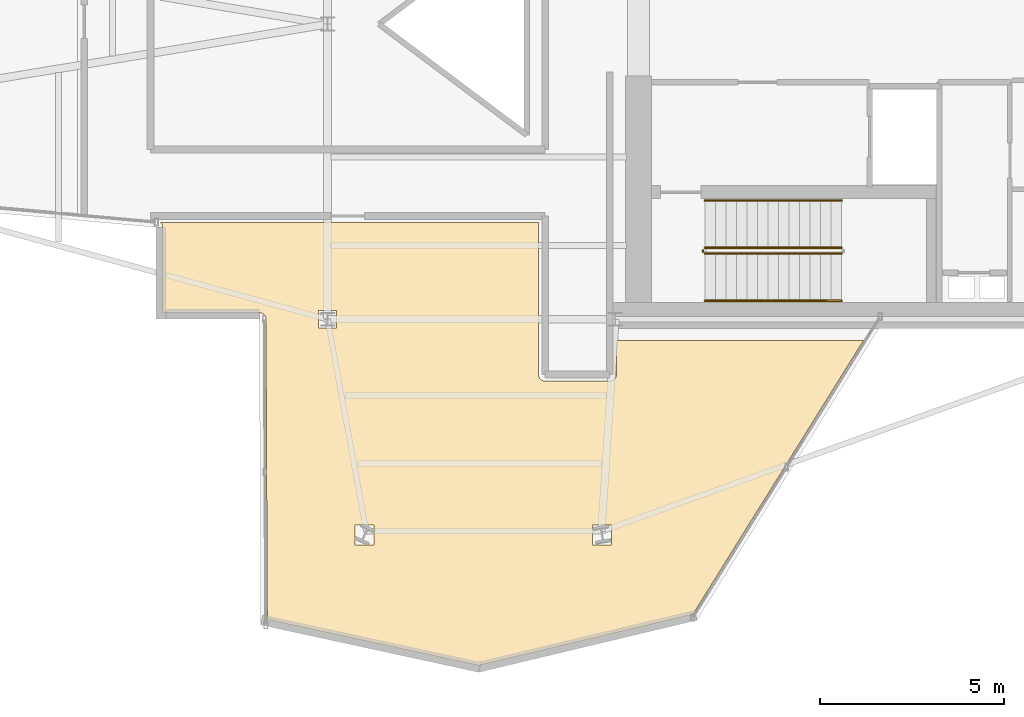
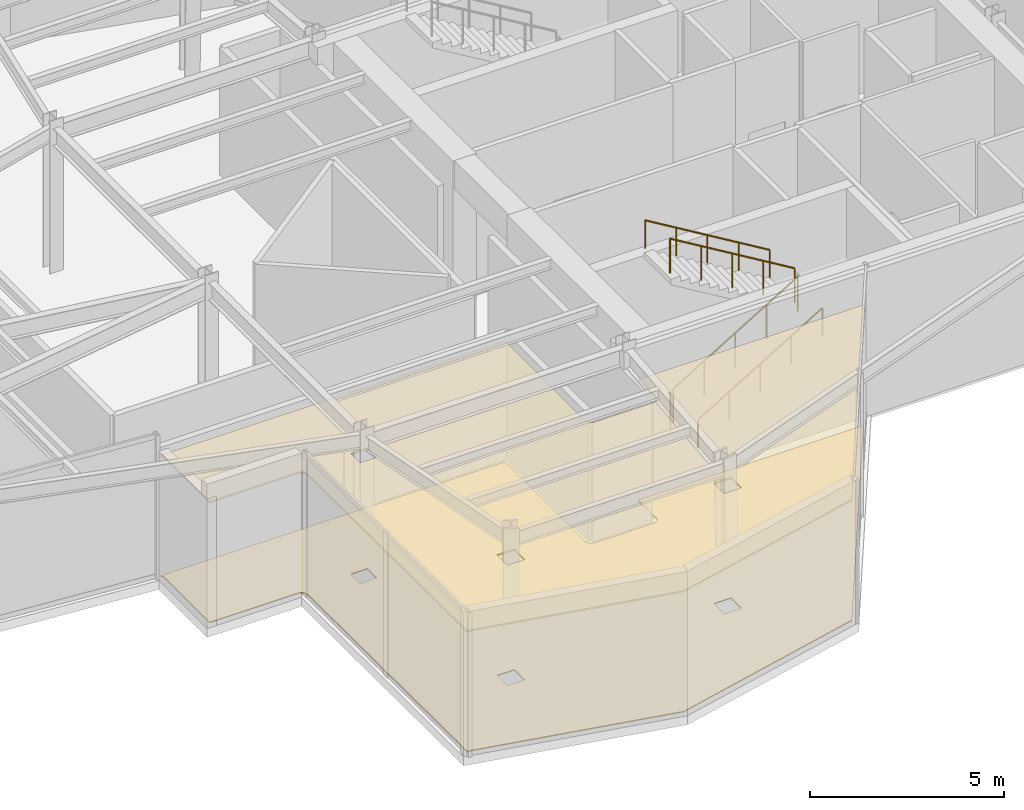
# One storey, part 12 of 14: 5 railings, 2 coverings.
"""IFC4 building model written with IfcOpenShell, lengths in metres."""

from ifc_helpers import new_model, si_unit, direction, frame, origin, origin_2d, place, context, subcontext, project, spatial, polyline, circle, outline, extrude, material, layer, layer_set, type_object, element, save


model = new_model("IFC4")

# Units and contexts
model_context = context("Model", 3, precision=1e-05, world=origin(), true_north=direction((0.0, 1.0)))
body_context = subcontext(model_context, "Body", "Model", "MODEL_VIEW")
ifc_project = project(units=[si_unit("LENGTHUNIT", "METRE"), si_unit("AREAUNIT", "SQUARE_METRE"), si_unit("VOLUMEUNIT", "CUBIC_METRE"), si_unit("PLANEANGLEUNIT", "RADIAN"), si_unit("MASSUNIT", "GRAM", prefix="KILO")], contexts=[model_context])

# Site, building, storey
site_placement = place(None, origin())
site = spatial("IfcSite", under=ifc_project, at=site_placement, CompositionType="ELEMENT")
building_placement = place(site_placement, origin())
building = spatial("IfcBuilding", under=site, at=building_placement, Name="Veymaron Broadcast Tower", CompositionType="ELEMENT")
storey_placement = place(building_placement, frame((0.0, 0.0, 187.050048828125)))
storey = spatial("IfcBuildingStorey", under=building, at=storey_placement, Name="L43", CompositionType="ELEMENT", Elevation=187.050048828125)

# Coverings
ifc_material_1 = material(Name="Micro-perforated dark-anodised aluminium baffle", Category="aluminium")
ifc_layer_1 = layer(ifc_material_1, 0.050048828125)
ifc_layer_set_1 = layer_set([ifc_layer_1], Name="Micro-perforated dark-anodised aluminium baffle")
covering_type_1 = type_object("IfcCoveringType", Name="COV-CEIL-MTL", PredefinedType="CEILING", material=ifc_layer_set_1)
covering_1_placement = place(storey_placement, frame((0.0, 0.0, 3.77001953125)))
element("IfcCovering", 1, at=covering_1_placement, inside=storey, type_object=covering_type_1, Name="L43 suspended acoustic ceiling 1", PredefinedType="CEILING", context=body_context, shape_type="SweptSolid", body=[
    extrude(outline(polyline([(37.047607421875, 14.327880859375), (37.06494140625, 14.323486328125), (37.08251953125, 14.32080078125), (37.10009765625, 14.320068359375), (38.85009765625, 14.320068359375), (38.86767578125, 14.32080078125), (38.885009765625, 14.323486328125), (38.90234375, 14.327880859375), (38.9189453125, 14.333740234375), (38.934814453125, 14.34130859375), (38.949951171875, 14.350341796875), (38.964111328125, 14.36083984375), (38.977294921875, 14.372802734375), (38.989013671875, 14.3857421875), (38.999755859375, 14.39990234375), (39.0087890625, 14.4150390625), (39.016357421875, 14.43115234375), (39.022216796875, 14.44775390625), (39.026611328125, 14.46484375), (39.029052734375, 14.482421875), (39.030029296875, 14.5), (39.030029296875, 15.42724609375), (39.044921875, 15.423583984375), (39.0625, 15.4208984375), (39.080078125, 15.419921875), (45.727783203125, 15.419921875), (41.101806640625, 7.9970703125), (35.29931640625, 6.611328125), (29.56640625, 7.856201171875), (29.529296875, 16.000732421875), (29.5283203125, 16.018310546875), (29.525634765625, 16.035888671875), (29.521240234375, 16.052978515625), (29.515380859375, 16.069580078125), (29.5078125, 16.085205078125), (29.49853515625, 16.100341796875), (29.488037109375, 16.114501953125), (29.476318359375, 16.127685546875), (29.463134765625, 16.139404296875), (29.448974609375, 16.14990234375), (29.433837890625, 16.158935546875), (29.41796875, 16.16650390625), (29.4013671875, 16.17236328125), (29.38427734375, 16.176513671875), (29.36669921875, 16.17919921875), (29.34912109375, 16.179931640625), (26.7255859375, 16.179931640625), (26.7255859375, 18.492919921875), (26.724609375, 18.5107421875), (26.72216796875, 18.5283203125), (26.7177734375, 18.54541015625), (26.711669921875, 18.562255859375), (26.7041015625, 18.578369140625), (26.69482421875, 18.593505859375), (26.684326171875, 18.607666015625), (26.673095703125, 18.6201171875), (36.919921875, 18.6201171875), (36.919921875, 14.5), (36.9208984375, 14.482421875), (36.923583984375, 14.46484375), (36.927734375, 14.44775390625), (36.93359375, 14.43115234375), (36.94140625, 14.4150390625), (36.9501953125, 14.39990234375), (36.9609375, 14.3857421875), (36.97265625, 14.372802734375), (36.98583984375, 14.36083984375), (37.0, 14.350341796875), (37.01513671875, 14.34130859375), (37.031005859375, 14.333740234375), (37.047607421875, 14.327880859375)]), holes=[polyline([(38.89794921875, 10.41552734375), (38.385986328125, 10.41552734375), (38.385986328125, 9.880615234375), (38.89794921875, 9.880615234375), (38.89794921875, 10.41552734375)]), polyline([(31.9462890625, 10.41552734375), (31.9462890625, 9.880615234375), (32.45849609375, 9.880615234375), (32.45849609375, 10.41552734375), (31.9462890625, 10.41552734375)]), polyline([(30.952880859375, 16.237548828125), (30.952880859375, 15.762451171875), (31.447021484375, 15.762451171875), (31.447021484375, 16.237548828125), (30.952880859375, 16.237548828125)])]), origin(), (0.0, 0.0, 1.0), 0.050048828125),
])
ifc_material_2 = material(Name="Honed Saudi basalt stone flooring", Category="masonry")
ifc_layer_2 = layer(ifc_material_2, 0.030029296875)
ifc_layer_set_2 = layer_set([ifc_layer_2], Name="Honed Saudi basalt stone flooring")
covering_type_2 = type_object("IfcCoveringType", Name="COV-FLR-STN", PredefinedType="FLOORING", material=ifc_layer_set_2)
covering_2_placement = place(storey_placement, origin())
element("IfcCovering", 2, at=covering_2_placement, inside=storey, type_object=covering_type_2, Name="L43 finished flooring 1", PredefinedType="FLOORING", context=body_context, shape_type="SweptSolid", body=[
    extrude(outline(polyline([(37.047607421875, 14.327880859375), (37.06494140625, 14.323486328125), (37.08251953125, 14.32080078125), (37.10009765625, 14.320068359375), (38.85009765625, 14.320068359375), (38.86767578125, 14.32080078125), (38.885009765625, 14.323486328125), (38.90234375, 14.327880859375), (38.9189453125, 14.333740234375), (38.934814453125, 14.34130859375), (38.949951171875, 14.350341796875), (38.964111328125, 14.36083984375), (38.977294921875, 14.372802734375), (38.989013671875, 14.3857421875), (38.999755859375, 14.39990234375), (39.0087890625, 14.4150390625), (39.016357421875, 14.43115234375), (39.022216796875, 14.44775390625), (39.026611328125, 14.46484375), (39.029052734375, 14.482421875), (39.030029296875, 14.5), (39.030029296875, 15.42724609375), (39.044921875, 15.423583984375), (39.0625, 15.4208984375), (39.080078125, 15.419921875), (45.727783203125, 15.419921875), (41.101806640625, 7.9970703125), (35.29931640625, 6.611328125), (29.56640625, 7.856201171875), (29.529296875, 16.000732421875), (29.5283203125, 16.018310546875), (29.525634765625, 16.035888671875), (29.521240234375, 16.052978515625), (29.515380859375, 16.069580078125), (29.5078125, 16.085205078125), (29.49853515625, 16.100341796875), (29.488037109375, 16.114501953125), (29.476318359375, 16.127685546875), (29.463134765625, 16.139404296875), (29.448974609375, 16.14990234375), (29.433837890625, 16.158935546875), (29.41796875, 16.16650390625), (29.4013671875, 16.17236328125), (29.38427734375, 16.176513671875), (29.36669921875, 16.17919921875), (29.34912109375, 16.179931640625), (26.7255859375, 16.179931640625), (26.7255859375, 18.492919921875), (26.724609375, 18.5107421875), (26.72216796875, 18.5283203125), (26.7177734375, 18.54541015625), (26.711669921875, 18.562255859375), (26.7041015625, 18.578369140625), (26.69482421875, 18.593505859375), (26.684326171875, 18.607666015625), (26.673095703125, 18.6201171875), (36.919921875, 18.6201171875), (36.919921875, 14.5), (36.9208984375, 14.482421875), (36.923583984375, 14.46484375), (36.927734375, 14.44775390625), (36.93359375, 14.43115234375), (36.94140625, 14.4150390625), (36.9501953125, 14.39990234375), (36.9609375, 14.3857421875), (36.97265625, 14.372802734375), (36.98583984375, 14.36083984375), (37.0, 14.350341796875), (37.01513671875, 14.34130859375), (37.031005859375, 14.333740234375), (37.047607421875, 14.327880859375)]), holes=[polyline([(38.89794921875, 10.41552734375), (38.385986328125, 10.41552734375), (38.385986328125, 9.880615234375), (38.89794921875, 9.880615234375), (38.89794921875, 10.41552734375)]), polyline([(31.9462890625, 10.41552734375), (31.9462890625, 9.880615234375), (32.45849609375, 9.880615234375), (32.45849609375, 10.41552734375), (31.9462890625, 10.41552734375)]), polyline([(30.952880859375, 16.237548828125), (30.952880859375, 15.762451171875), (31.447021484375, 15.762451171875), (31.447021484375, 16.237548828125), (30.952880859375, 16.237548828125)])]), origin(), (0.0, 0.0, 1.0), 0.030029296875),
])

# Railings
ifc_material_3 = material(Name="Brushed stainless steel AISI 304", Category="steel")
railing_type_1 = type_object("IfcRailingType", Name="RAIL-STAIR-HR", PredefinedType="HANDRAIL", material=ifc_material_3)
railing_1_placement = place(storey_placement, frame((41.429931640625, 16.5, 0.17138671875)))
element("IfcRailing", 3, at=railing_1_placement, inside=storey, type_object=railing_type_1, Name="L43 ST2 stair handrail 1", PredefinedType="HANDRAIL", context=body_context, shape_type="SweptSolid", body=[
    extrude(circle(Radius=0.02392578125, at=origin_2d()), frame((0.0, 0.0, 0.8759765625), z_axis=(0.856934400257, 0.0, 0.515425487977), x_axis=(0.0, 1.0, 0.0)), (0.0, 0.0, 1.0), 4.32373046875),
    extrude(circle(Radius=0.02099609375, at=origin_2d()), origin(), (0.0, 0.0, 1.0), 0.851806640625),
    extrude(circle(Radius=0.02099609375, at=origin_2d()), frame((0.92626953125, 0.0, 0.55712890625)), (0.0, 0.0, 1.0), 0.851806640625),
    extrude(circle(Radius=0.02099609375, at=origin_2d()), frame((1.8525390625, 0.0, 1.1142578125)), (0.0, 0.0, 1.0), 0.851806640625),
    extrude(circle(Radius=0.02099609375, at=origin_2d()), frame((2.77880859375, 0.0, 1.67138671875)), (0.0, 0.0, 1.0), 0.851806640625),
    extrude(circle(Radius=0.02099609375, at=origin_2d()), frame((3.705078125, 0.0, 2.228515625)), (0.0, 0.0, 1.0), 0.851806640625),
])
railing_2_placement = place(storey_placement, frame((45.135009765625, 19.219970703125, 2.5712890625)))
element("IfcRailing", 4, at=railing_2_placement, inside=storey, type_object=railing_type_1, Name="L43 ST2 stair handrail 2", PredefinedType="HANDRAIL", context=body_context, shape_type="SweptSolid", body=[
    extrude(circle(Radius=0.02392578125, at=origin_2d()), frame((0.0, 0.0, 0.8759765625), z_axis=(-0.856909459561, 0.0, 0.515466951525), x_axis=(0.0, -1.0, 0.0)), (0.0, 0.0, 1.0), 4.32373046875),
    extrude(circle(Radius=0.02099609375, at=origin_2d()), origin(), (0.0, 0.0, 1.0), 0.851806640625),
    extrude(circle(Radius=0.02099609375, at=origin_2d()), frame((-0.92626953125, 0.0, 0.55712890625)), (0.0, 0.0, 1.0), 0.851806640625),
    extrude(circle(Radius=0.02099609375, at=origin_2d()), frame((-1.8525390625, 0.0, 1.1142578125)), (0.0, 0.0, 1.0), 0.851806640625),
    extrude(circle(Radius=0.02099609375, at=origin_2d()), frame((-2.77880859375, 0.0, 1.671630859375)), (0.0, 0.0, 1.0), 0.851806640625),
    extrude(circle(Radius=0.02099609375, at=origin_2d()), frame((-3.705078125, 0.0, 2.228759765625)), (0.0, 0.0, 1.0), 0.851806640625),
])
ifc_material_4 = material(Name="Painted galvanized steel balustrade", Category="steel")
railing_type_2 = type_object("IfcRailingType", Name="RAIL-WELL-GRD", PredefinedType="GUARDRAIL", material=ifc_material_4)
railing_3_placement = place(storey_placement, frame((41.429931640625, 17.780029296875, 0.17138671875)))
element("IfcRailing", 5, at=railing_3_placement, inside=storey, type_object=railing_type_2, Name="L43 ST2 stair guard 1", PredefinedType="GUARDRAIL", context=body_context, shape_type="SweptSolid", body=[
    extrude(circle(Radius=0.02392578125, at=origin_2d()), frame((0.0, 0.0, 1.076171875), z_axis=(0.856934400257, 0.0, 0.515425487977), x_axis=(0.0, 1.0, 0.0)), (0.0, 0.0, 1.0), 4.32373046875),
    extrude(circle(Radius=0.02099609375, at=origin_2d()), origin(), (0.0, 0.0, 1.0), 1.052001953125),
    extrude(circle(Radius=0.02099609375, at=origin_2d()), frame((0.92626953125, 0.0, 0.55712890625)), (0.0, 0.0, 1.0), 1.052001953125),
    extrude(circle(Radius=0.02099609375, at=origin_2d()), frame((1.8525390625, 0.0, 1.1142578125)), (0.0, 0.0, 1.0), 1.052001953125),
    extrude(circle(Radius=0.02099609375, at=origin_2d()), frame((2.77880859375, 0.0, 1.67138671875)), (0.0, 0.0, 1.0), 1.052001953125),
    extrude(circle(Radius=0.02099609375, at=origin_2d()), frame((3.705078125, 0.0, 2.228515625)), (0.0, 0.0, 1.0), 1.052001953125),
])
railing_4_placement = place(storey_placement, frame((45.135009765625, 17.93994140625, 2.5712890625)))
element("IfcRailing", 6, at=railing_4_placement, inside=storey, type_object=railing_type_2, Name="L43 ST2 stair guard 3", PredefinedType="GUARDRAIL", context=body_context, shape_type="SweptSolid", body=[
    extrude(circle(Radius=0.02392578125, at=origin_2d()), frame((0.0, 0.0, 1.076171875), z_axis=(-0.856909459561, 0.0, 0.515466951525), x_axis=(0.0, -1.0, 0.0)), (0.0, 0.0, 1.0), 4.32373046875),
    extrude(circle(Radius=0.02099609375, at=origin_2d()), origin(), (0.0, 0.0, 1.0), 1.052001953125),
    extrude(circle(Radius=0.02099609375, at=origin_2d()), frame((-0.92626953125, 0.0, 0.55712890625)), (0.0, 0.0, 1.0), 1.052001953125),
    extrude(circle(Radius=0.02099609375, at=origin_2d()), frame((-1.8525390625, 0.0, 1.1142578125)), (0.0, 0.0, 1.0), 1.052001953125),
    extrude(circle(Radius=0.02099609375, at=origin_2d()), frame((-2.77880859375, 0.0, 1.671630859375)), (0.0, 0.0, 1.0), 1.052001953125),
    extrude(circle(Radius=0.02099609375, at=origin_2d()), frame((-3.705078125, 0.0, 2.228759765625)), (0.0, 0.0, 1.0), 1.052001953125),
])
railing_5_placement = place(storey_placement, frame((41.3798828125, 17.830078125, 0.0)))
element("IfcRailing", 7, at=railing_5_placement, inside=storey, type_object=railing_type_2, Name="L43 ST2 stair guard 4", PredefinedType="GUARDRAIL", context=body_context, shape_type="SweptSolid", body=[
    extrude(circle(Radius=0.02392578125, at=origin_2d()), frame((0.0, 0.0, 1.076171875), z_axis=(0.0, 1.0, 0.0), x_axis=(-1.0, 0.0, 0.0)), (0.0, 0.0, 1.0), 0.059814453125),
    extrude(circle(Radius=0.02099609375, at=origin_2d()), origin(), (0.0, 0.0, 1.0), 1.052001953125),
])

save(model, "model.ifc")
